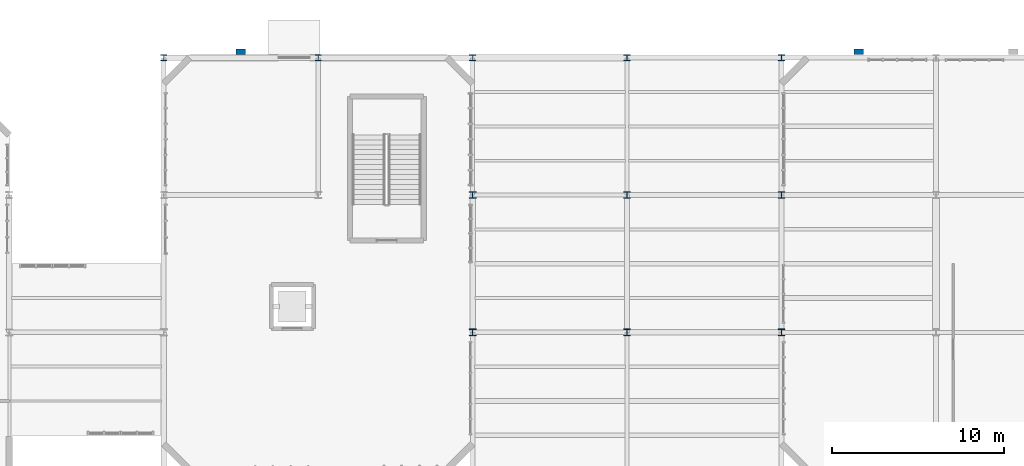
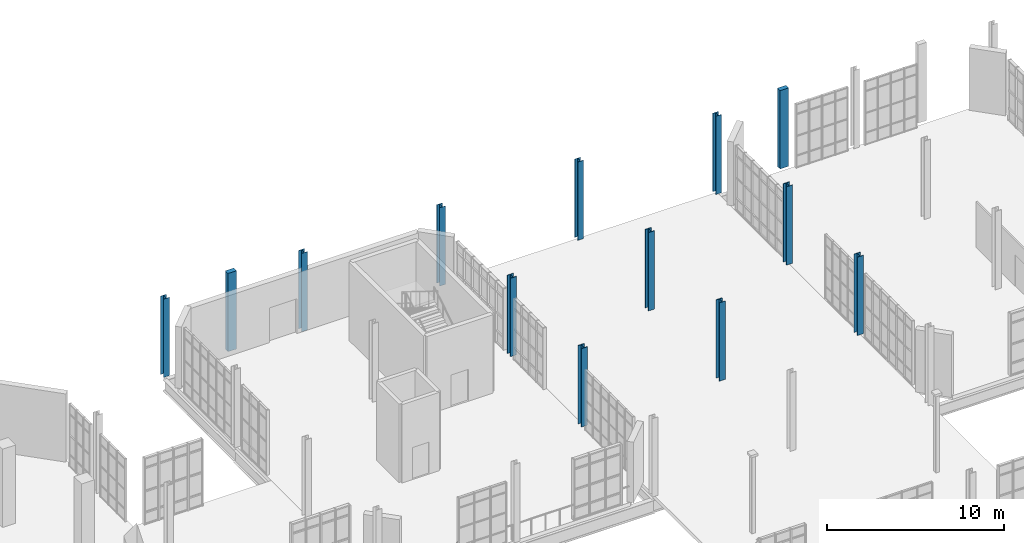
# One storey, part 11 of 189: 13 columns.
"""IFC4 building model written with IfcOpenShell, lengths in metres."""

from ifc_helpers import new_model, si_unit, direction, frame, origin, origin_2d, place, context, subcontext, project, spatial, rectangle, i_section, extrude, material, material_profile, profile_set, type_object, element, save


model = new_model("IFC4")

# Units and contexts
model_context = context("Model", 3, precision=1e-05, world=origin(), true_north=direction((0.0, 1.0)))
body_context = subcontext(model_context, "Body", "Model", "MODEL_VIEW")
ifc_project = project(units=[si_unit("LENGTHUNIT", "METRE"), si_unit("AREAUNIT", "SQUARE_METRE"), si_unit("VOLUMEUNIT", "CUBIC_METRE"), si_unit("PLANEANGLEUNIT", "RADIAN"), si_unit("MASSUNIT", "GRAM", prefix="KILO"), si_unit("THERMODYNAMICTEMPERATUREUNIT", "KELVIN"), si_unit("POWERUNIT", "WATT")], contexts=[model_context])

# Site, building, storey
site_placement = place(None, origin())
site = spatial("IfcSite", under=ifc_project, at=site_placement, CompositionType="ELEMENT")
building_placement = place(site_placement, origin())
building = spatial("IfcBuilding", under=site, at=building_placement, Name="Zelmaris Science Centre", CompositionType="ELEMENT")
storey_placement = place(building_placement, origin())
storey = spatial("IfcBuildingStorey", under=building, at=storey_placement, Name="L00", CompositionType="ELEMENT", Elevation=0.0)

# Columns
ifc_material_1 = material(Name="Steel ASTM A992 Grade 50", Category="steel")
ifc_material_profile_1 = material_profile(ifc_material_1, i_section(OverallWidth=0.39892578125, OverallDepth=0.385986328125, WebThickness=0.02099609375, FlangeThickness=0.033203125, FilletRadius=0.014892578125, at=origin_2d()), Name="W14X176")
ifc_profile_set_1 = profile_set([ifc_material_profile_1], Name="Steel ASTM A992 Grade 50")
column_type_1 = type_object("IfcColumnType", Name="Column C-04 W14X176", PredefinedType="COLUMN", material=ifc_profile_set_1)
for number, where, z_axis, x_axis, name in (
    (1, (72.0, 72.0, 0.0), (0.0, 0.0, 1.0), (1.0, 0.0, 0.0), "Column V5-C-72-72 L00"),
    (2, (72.0, 80.0, 0.0), (0.0, 0.0, 1.0), (1.0, 0.0, 0.0), "Column V5-C-72-80 L00"),
    (3, (81.0, 72.0, 0.0), (0.0, 0.0, 1.0), (1.0, 0.0, 0.0), "Column V5-C-81-72 L00"),
    (4, (81.0, 80.0, 0.0), (0.0, 0.0, 1.0), (1.0, 0.0, 0.0), "Column V5-C-81-80 L00"),
    (5, (90.0, 72.0, 0.0), (0.0, 0.0, 1.0), (1.0, 0.0, 0.0), "Column V5-C-90-72 L00"),
    (6, (90.0, 80.0, 0.0), (0.0, 0.0, 1.0), (1.0, 0.0, 0.0), "Column V5-C-90-80 L00"),
):
    element("IfcColumn", number, at=place(storey_placement, frame(where, z_axis=z_axis, x_axis=x_axis)), inside=storey, type_object=column_type_1, Name=name, PredefinedType="COLUMN", context=body_context, shape_type="SweptSolid", body=[
        extrude(i_section(OverallWidth=0.39892578125, OverallDepth=0.385986328125, WebThickness=0.02099609375, FlangeThickness=0.033203125, FilletRadius=0.014892578125, at=origin_2d()), origin(), (0.0, 0.0, 1.0), 5.39990234375),
    ])
ifc_material_profile_2 = material_profile(ifc_material_1, i_section(OverallWidth=0.367919921875, OverallDepth=0.35595703125, WebThickness=0.01123046875, FlangeThickness=0.01806640625, FilletRadius=0.014892578125, at=origin_2d()), Name="W14X90")
ifc_profile_set_2 = profile_set([ifc_material_profile_2], Name="Steel ASTM A992 Grade 50")
column_type_2 = type_object("IfcColumnType", Name="Column C-07 W14X90", PredefinedType="COLUMN", material=ifc_profile_set_2)
for number, where, z_axis, x_axis, name in (
    (7, (54.0, 88.0, 0.0), (0.0, 0.0, 1.0), (1.0, 0.0, 0.0), "Column V5-C-54-88 L00"),
    (8, (63.0, 88.0, 0.0), (0.0, 0.0, 1.0), (1.0, 0.0, 0.0), "Column V5-C-63-88 L00"),
    (9, (72.0, 88.0, 0.0), (0.0, 0.0, 1.0), (1.0, 0.0, 0.0), "Column V5-C-72-88 L00"),
    (10, (81.0, 88.0, 0.0), (0.0, 0.0, 1.0), (1.0, 0.0, 0.0), "Column V5-C-81-88 L00"),
    (11, (90.0, 88.0, 0.0), (0.0, 0.0, 1.0), (1.0, 0.0, 0.0), "Column V5-C-90-88 L00"),
):
    element("IfcColumn", number, at=place(storey_placement, frame(where, z_axis=z_axis, x_axis=x_axis)), inside=storey, type_object=column_type_2, Name=name, PredefinedType="COLUMN", context=body_context, shape_type="SweptSolid", body=[
        extrude(i_section(OverallWidth=0.367919921875, OverallDepth=0.35595703125, WebThickness=0.01123046875, FlangeThickness=0.01806640625, FilletRadius=0.014892578125, at=origin_2d()), origin(), (0.0, 0.0, 1.0), 5.39990234375),
    ])
ifc_material_2 = material(Name="Yucatan limestone ashlar masonry", Category="masonry")
ifc_material_profile_3 = material_profile(ifc_material_2, rectangle(XDim=0.550048828125, YDim=0.300048828125, at=origin_2d()), Name="PIL-LIM-550X300")
ifc_profile_set_3 = profile_set([ifc_material_profile_3], Name="Yucatan limestone ashlar masonry")
column_type_3 = type_object("IfcColumnType", Name="Pilaster PL-03 PIL-LIM-550X300", PredefinedType="PILASTER", material=ifc_profile_set_3)
for number, where, z_axis, x_axis, name in (
    (12, (58.5, 88.35009765625, 0.0), (0.0, 0.0, 1.0), (1.0, 0.0, 0.0), "Limestone pilaster PIL-V5N-1 L00"),
    (13, (94.5, 88.35009765625, 0.0), (0.0, 0.0, 1.0), (1.0, 0.0, 0.0), "Limestone pilaster PIL-V5N-2 L00"),
):
    element("IfcColumn", number, at=place(storey_placement, frame(where, z_axis=z_axis, x_axis=x_axis)), inside=storey, type_object=column_type_3, Name=name, PredefinedType="PILASTER", context=body_context, shape_type="SweptSolid", body=[
        extrude(rectangle(XDim=0.550048828125, YDim=0.300048828125, at=origin_2d()), origin(), (0.0, 0.0, 1.0), 5.39990234375),
    ])

save(model, "model.ifc")
